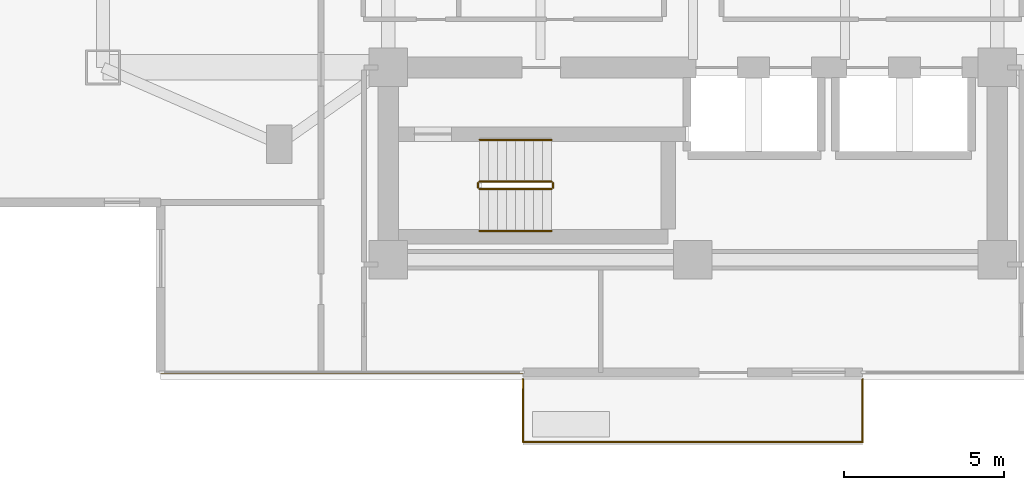
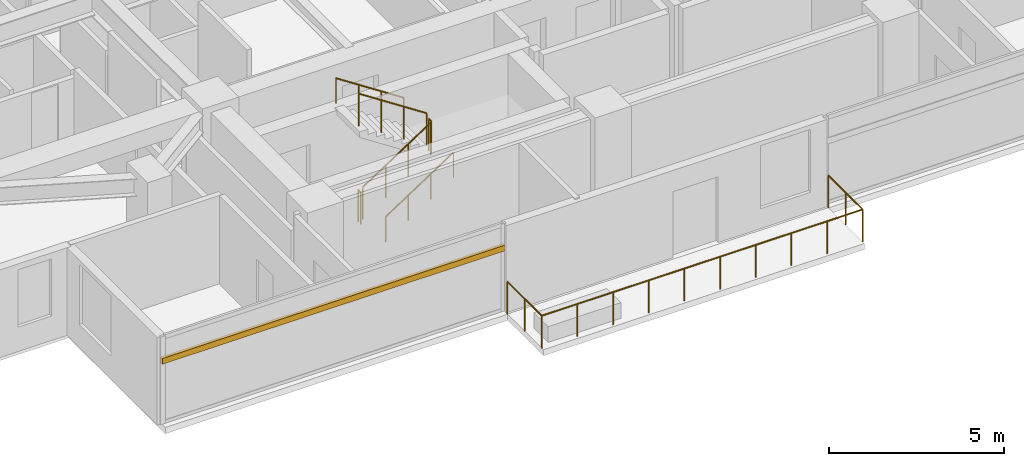
# One storey, part 21 of 26: 9 railings, 1 shading device.
"""IFC4 building model written with IfcOpenShell, lengths in metres."""

from ifc_helpers import new_model, si_unit, direction, frame, origin, origin_2d, place, context, subcontext, project, spatial, rectangle, circle, extrude, material, material_profile, profile_set, type_object, element, save


model = new_model("IFC4")

# Units and contexts
model_context = context("Model", 3, precision=1e-05, world=origin(), true_north=direction((0.0, 1.0)))
body_context = subcontext(model_context, "Body", "Model", "MODEL_VIEW")
ifc_project = project(units=[si_unit("LENGTHUNIT", "METRE"), si_unit("AREAUNIT", "SQUARE_METRE"), si_unit("VOLUMEUNIT", "CUBIC_METRE"), si_unit("PLANEANGLEUNIT", "RADIAN"), si_unit("MASSUNIT", "GRAM", prefix="KILO")], contexts=[model_context])

# Site, building, storey
site_placement = place(None, origin())
site = spatial("IfcSite", under=ifc_project, at=site_placement, CompositionType="ELEMENT")
building_placement = place(site_placement, origin())
building = spatial("IfcBuilding", under=site, at=building_placement, Name="Mirazonda Arch Towers", CompositionType="ELEMENT")
storey_placement = place(building_placement, frame((0.0, 0.0, 108.199951171875)))
storey = spatial("IfcBuildingStorey", under=building, at=storey_placement, Name="L30", CompositionType="ELEMENT", Elevation=108.199951171875)

# Shading device
ifc_material_1 = material(Name="Kiln-Fired Architectural Terracotta", Category="masonry")
ifc_material_profile = material_profile(ifc_material_1, rectangle(XDim=0.10009765625, YDim=0.199951171875, at=origin_2d()), Name="TERRA-BAG-100x200")
ifc_profile_set = profile_set([ifc_material_profile], Name="Kiln-Fired Architectural Terracotta")
shading_device_type = type_object("IfcShadingDeviceType", Name="BAGUETTE-2", PredefinedType="USERDEFINED", material=ifc_profile_set)
shading_device_placement = place(storey_placement, frame((15.2099609375, 8.882080078125, 2.203369140625), z_axis=(-1.0, 0.0, 0.0), x_axis=(0.0, -1.0, 0.0)))
element("IfcShadingDevice", 1, at=shading_device_placement, inside=storey, type_object=shading_device_type, Name="L30 Glazed Terracotta Sun-Screen Baguette CW-L30-T1-SB", ObjectType="BAGUETTE", PredefinedType="USERDEFINED", context=body_context, shape_type="SweptSolid", body=[
    extrude(rectangle(XDim=0.10009765625, YDim=0.199951171875, at=origin_2d()), origin(), (0.0, 0.0, 1.0), 11.31494140625),
])

# Railings
ifc_material_2 = material(Name="Architectural Brushed Steel S355", Category="steel")
railing_type_1 = type_object("IfcRailingType", Name="GUARD-EXT-1150", PredefinedType="GUARDRAIL", material=ifc_material_2)
railing_1_placement = place(storey_placement, frame((25.800048828125, 8.672119140625, 0.0)))
element("IfcRailing", 2, at=railing_1_placement, inside=storey, type_object=railing_type_1, Name="L30 T1 Sky-Terrace Guard 01", PredefinedType="GUARDRAIL", context=body_context, shape_type="SweptSolid", body=[
    extrude(circle(Radius=0.02392578125, at=origin_2d()), frame((0.0, 0.0, 1.1259765625), z_axis=(0.0, -1.0, 0.0), x_axis=(1.0, 0.0, 0.0)), (0.0, 0.0, 1.0), 1.960205078125),
    extrude(circle(Radius=0.02099609375, at=origin_2d()), origin(), (0.0, 0.0, 1.0), 1.101806640625),
    extrude(circle(Radius=0.02099609375, at=origin_2d()), frame((0.0, -0.97998046875, 0.0)), (0.0, 0.0, 1.0), 1.101806640625),
    extrude(circle(Radius=0.02099609375, at=origin_2d()), frame((0.0, -1.960205078125, 0.0)), (0.0, 0.0, 1.0), 1.101806640625),
])
railing_2_placement = place(storey_placement, frame((25.800048828125, 6.7119140625, 0.0)))
element("IfcRailing", 3, at=railing_2_placement, inside=storey, type_object=railing_type_1, Name="L30 T1 Sky-Terrace Guard 02", PredefinedType="GUARDRAIL", context=body_context, shape_type="SweptSolid", body=[
    extrude(circle(Radius=0.02392578125, at=origin_2d()), frame((0.0, 0.0, 1.1259765625), z_axis=(-1.0, 0.0, 0.0), x_axis=(0.0, -1.0, 0.0)), (0.0, 0.0, 1.0), 10.60009765625),
    extrude(circle(Radius=0.02099609375, at=origin_2d()), origin(), (0.0, 0.0, 1.0), 1.101806640625),
    extrude(circle(Radius=0.02099609375, at=origin_2d()), frame((-1.177734375, 0.0, 0.0)), (0.0, 0.0, 1.0), 1.101806640625),
    extrude(circle(Radius=0.02099609375, at=origin_2d()), frame((-2.35546875, 0.0, 0.0)), (0.0, 0.0, 1.0), 1.101806640625),
    extrude(circle(Radius=0.02099609375, at=origin_2d()), frame((-3.533447265625, 0.0, 0.0)), (0.0, 0.0, 1.0), 1.101806640625),
    extrude(circle(Radius=0.02099609375, at=origin_2d()), frame((-4.711181640625, 0.0, 0.0)), (0.0, 0.0, 1.0), 1.101806640625),
    extrude(circle(Radius=0.02099609375, at=origin_2d()), frame((-5.888916015625, 0.0, 0.0)), (0.0, 0.0, 1.0), 1.101806640625),
    extrude(circle(Radius=0.02099609375, at=origin_2d()), frame((-7.066650390625, 0.0, 0.0)), (0.0, 0.0, 1.0), 1.101806640625),
    extrude(circle(Radius=0.02099609375, at=origin_2d()), frame((-8.24462890625, 0.0, 0.0)), (0.0, 0.0, 1.0), 1.101806640625),
    extrude(circle(Radius=0.02099609375, at=origin_2d()), frame((-9.42236328125, 0.0, 0.0)), (0.0, 0.0, 1.0), 1.101806640625),
    extrude(circle(Radius=0.02099609375, at=origin_2d()), frame((-10.60009765625, 0.0, 0.0)), (0.0, 0.0, 1.0), 1.101806640625),
])
railing_3_placement = place(storey_placement, frame((15.199951171875, 6.7119140625, 0.0)))
element("IfcRailing", 4, at=railing_3_placement, inside=storey, type_object=railing_type_1, Name="L30 T1 Sky-Terrace Guard 03", PredefinedType="GUARDRAIL", context=body_context, shape_type="SweptSolid", body=[
    extrude(circle(Radius=0.02392578125, at=origin_2d()), frame((0.0, 0.0, 1.1259765625), z_axis=(0.0, 1.0, 0.0), x_axis=(-1.0, 0.0, 0.0)), (0.0, 0.0, 1.0), 1.960205078125),
    extrude(circle(Radius=0.02099609375, at=origin_2d()), origin(), (0.0, 0.0, 1.0), 1.101806640625),
    extrude(circle(Radius=0.02099609375, at=origin_2d()), frame((0.0, 0.97998046875, 0.0)), (0.0, 0.0, 1.0), 1.101806640625),
    extrude(circle(Radius=0.02099609375, at=origin_2d()), frame((0.0, 1.960205078125, 0.0)), (0.0, 0.0, 1.0), 1.101806640625),
])
railing_type_2 = type_object("IfcRailingType", Name="GUARD-STAIR-1120", PredefinedType="GUARDRAIL", material=ifc_material_2)
railing_4_placement = place(storey_placement, frame((13.85009765625, 14.60009765625, 0.183349609375)))
element("IfcRailing", 5, at=railing_4_placement, inside=storey, type_object=railing_type_2, Name="L30 ST-T1S stair guard 1", PredefinedType="GUARDRAIL", context=body_context, shape_type="SweptSolid", body=[
    extrude(circle(Radius=0.02392578125, at=origin_2d()), frame((0.0, 0.0, 1.1259765625), z_axis=(0.836595146698, 0.0, 0.547821650285), x_axis=(0.0, 1.0, 0.0)), (0.0, 0.0, 1.0), 2.677490234375),
    extrude(circle(Radius=0.02099609375, at=origin_2d()), origin(), (0.0, 0.0, 1.0), 1.101806640625),
    extrude(circle(Radius=0.02099609375, at=origin_2d()), frame((0.74658203125, 0.0, 0.489013671875)), (0.0, 0.0, 1.0), 1.101806640625),
    extrude(circle(Radius=0.02099609375, at=origin_2d()), frame((1.493408203125, 0.0, 0.977783203125)), (0.0, 0.0, 1.0), 1.101806640625),
    extrude(circle(Radius=0.02099609375, at=origin_2d()), frame((2.239990234375, 0.0, 1.466796875)), (0.0, 0.0, 1.0), 1.101806640625),
])
railing_5_placement = place(storey_placement, frame((16.139892578125, 14.64990234375, 1.650146484375)))
element("IfcRailing", 6, at=railing_5_placement, inside=storey, type_object=railing_type_2, Name="L30 ST-T1S stair guard 2", PredefinedType="GUARDRAIL", context=body_context, shape_type="SweptSolid", body=[
    extrude(circle(Radius=0.02392578125, at=origin_2d()), frame((0.0, 0.0, 1.1259765625), z_axis=(0.0, 1.0, 0.0), x_axis=(-1.0, 0.0, 0.0)), (0.0, 0.0, 1.0), 0.14013671875),
    extrude(circle(Radius=0.02099609375, at=origin_2d()), origin(), (0.0, 0.0, 1.0), 1.101806640625),
    extrude(circle(Radius=0.02099609375, at=origin_2d()), frame((0.0, 0.14013671875, 0.0)), (0.0, 0.0, 1.0), 1.101806640625),
])
railing_6_placement = place(storey_placement, frame((16.090087890625, 14.840087890625, 1.83349609375)))
element("IfcRailing", 7, at=railing_6_placement, inside=storey, type_object=railing_type_2, Name="L30 ST-T1S stair guard 3", PredefinedType="GUARDRAIL", context=body_context, shape_type="SweptSolid", body=[
    extrude(circle(Radius=0.02392578125, at=origin_2d()), frame((0.0, 0.0, 1.1259765625), z_axis=(-0.836636935527, 0.0, 0.547757827979), x_axis=(0.0, -1.0, 0.0)), (0.0, 0.0, 1.0), 2.677490234375),
    extrude(circle(Radius=0.02099609375, at=origin_2d()), origin(), (0.0, 0.0, 1.0), 1.101806640625),
    extrude(circle(Radius=0.02099609375, at=origin_2d()), frame((-0.74658203125, 0.0, 0.48876953125)), (0.0, 0.0, 1.0), 1.101806640625),
    extrude(circle(Radius=0.02099609375, at=origin_2d()), frame((-1.493408203125, 0.0, 0.977783203125)), (0.0, 0.0, 1.0), 1.101806640625),
    extrude(circle(Radius=0.02099609375, at=origin_2d()), frame((-2.239990234375, 0.0, 1.466552734375)), (0.0, 0.0, 1.0), 1.101806640625),
])
railing_7_placement = place(storey_placement, frame((13.800048828125, 14.64990234375, 0.0)))
element("IfcRailing", 8, at=railing_7_placement, inside=storey, type_object=railing_type_2, Name="L30 ST-T1S stair guard 4", PredefinedType="GUARDRAIL", context=body_context, shape_type="SweptSolid", body=[
    extrude(circle(Radius=0.02392578125, at=origin_2d()), frame((0.0, 0.0, 1.1259765625), z_axis=(0.0, 1.0, 0.0), x_axis=(-1.0, 0.0, 0.0)), (0.0, 0.0, 1.0), 0.14013671875),
    extrude(circle(Radius=0.02099609375, at=origin_2d()), origin(), (0.0, 0.0, 1.0), 1.101806640625),
    extrude(circle(Radius=0.02099609375, at=origin_2d()), frame((0.0, 0.14013671875, 0.0)), (0.0, 0.0, 1.0), 1.101806640625),
])
railing_type_3 = type_object("IfcRailingType", Name="HANDRAIL-915", PredefinedType="HANDRAIL", material=ifc_material_2)
railing_8_placement = place(storey_placement, frame((13.85009765625, 13.300048828125, 0.183349609375)))
element("IfcRailing", 9, at=railing_8_placement, inside=storey, type_object=railing_type_3, Name="L30 ST-T1S stair handrail 1", PredefinedType="HANDRAIL", context=body_context, shape_type="SweptSolid", body=[
    extrude(circle(Radius=0.02392578125, at=origin_2d()), frame((0.0, 0.0, 0.8759765625), z_axis=(0.836595146698, 0.0, 0.547821650285), x_axis=(0.0, 1.0, 0.0)), (0.0, 0.0, 1.0), 2.677490234375),
    extrude(circle(Radius=0.02099609375, at=origin_2d()), origin(), (0.0, 0.0, 1.0), 0.851806640625),
    extrude(circle(Radius=0.02099609375, at=origin_2d()), frame((0.74658203125, 0.0, 0.489013671875)), (0.0, 0.0, 1.0), 0.851806640625),
    extrude(circle(Radius=0.02099609375, at=origin_2d()), frame((1.493408203125, 0.0, 0.977783203125)), (0.0, 0.0, 1.0), 0.851806640625),
    extrude(circle(Radius=0.02099609375, at=origin_2d()), frame((2.239990234375, 0.0, 1.466796875)), (0.0, 0.0, 1.0), 0.851806640625),
])
railing_9_placement = place(storey_placement, frame((16.090087890625, 16.139892578125, 1.83349609375)))
element("IfcRailing", 10, at=railing_9_placement, inside=storey, type_object=railing_type_3, Name="L30 ST-T1S stair handrail 2", PredefinedType="HANDRAIL", context=body_context, shape_type="SweptSolid", body=[
    extrude(circle(Radius=0.02392578125, at=origin_2d()), frame((0.0, 0.0, 0.8759765625), z_axis=(-0.836636935527, 0.0, 0.547757827979), x_axis=(0.0, -1.0, 0.0)), (0.0, 0.0, 1.0), 2.677490234375),
    extrude(circle(Radius=0.02099609375, at=origin_2d()), origin(), (0.0, 0.0, 1.0), 0.851806640625),
    extrude(circle(Radius=0.02099609375, at=origin_2d()), frame((-0.74658203125, 0.0, 0.48876953125)), (0.0, 0.0, 1.0), 0.851806640625),
    extrude(circle(Radius=0.02099609375, at=origin_2d()), frame((-1.493408203125, 0.0, 0.977783203125)), (0.0, 0.0, 1.0), 0.851806640625),
    extrude(circle(Radius=0.02099609375, at=origin_2d()), frame((-2.239990234375, 0.0, 1.466552734375)), (0.0, 0.0, 1.0), 0.851806640625),
])

save(model, "model.ifc")
